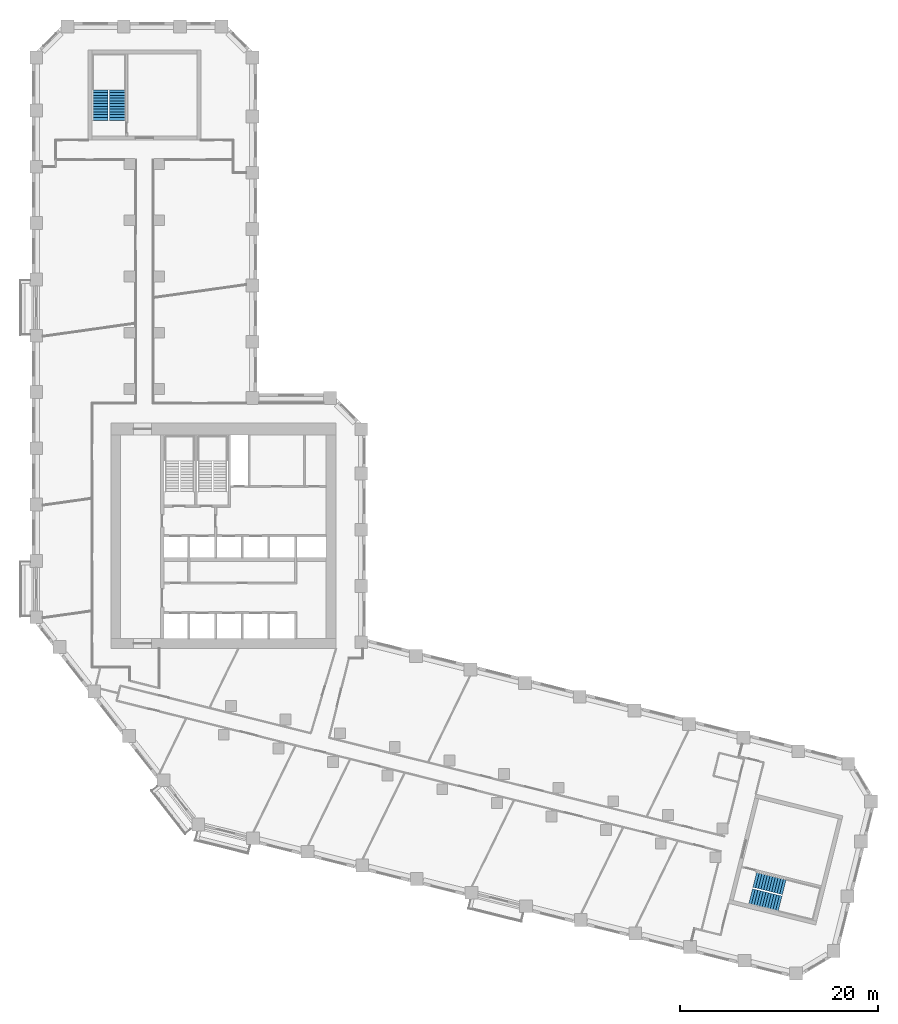
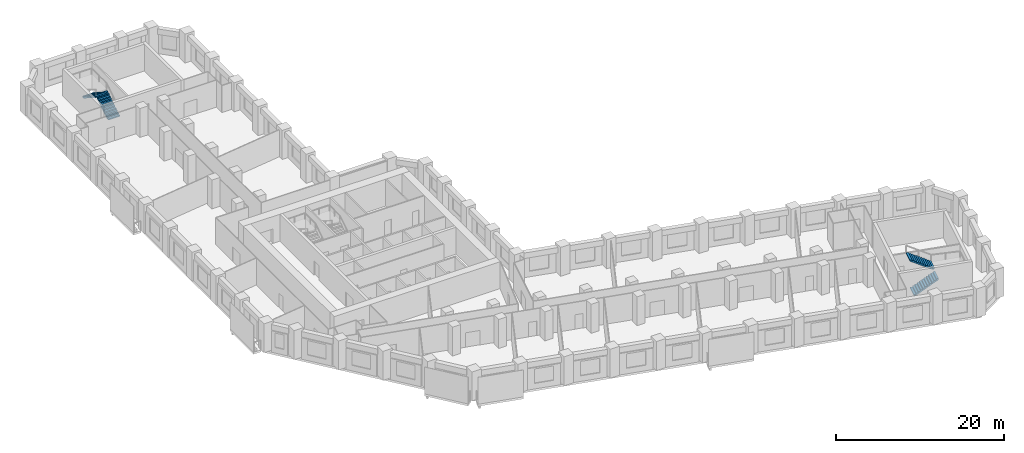
# One storey, part 10 of 11: 4 stair flights, 2 elements without a shape of their own.
"""IFC4 building model written with IfcOpenShell, lengths in metres."""

from ifc_helpers import new_model, si_unit, direction, frame, origin, place, context, subcontext, project, spatial, polyline, outline, extrude, material, type_object, element, aggregate, save


model = new_model("IFC4")

# Units and contexts
model_context = context("Model", 3, precision=1e-05, world=origin(), true_north=direction((0.0, 1.0)))
body_context = subcontext(model_context, "Body", "Model", "MODEL_VIEW")
ifc_project = project(units=[si_unit("LENGTHUNIT", "METRE"), si_unit("AREAUNIT", "SQUARE_METRE"), si_unit("VOLUMEUNIT", "CUBIC_METRE"), si_unit("PLANEANGLEUNIT", "RADIAN"), si_unit("MASSUNIT", "GRAM", prefix="KILO")], contexts=[model_context])

# Site, building, storey
site_placement = place(None, origin())
site = spatial("IfcSite", under=ifc_project, at=site_placement, CompositionType="ELEMENT")
building_placement = place(site_placement, origin())
building = spatial("IfcBuilding", under=site, at=building_placement, Name="Meshkara Civic Tower", CompositionType="ELEMENT")
storey_placement = place(building_placement, frame((0.0, 0.0, 105.60009765625)))
storey = spatial("IfcBuildingStorey", under=building, at=storey_placement, Name="L23", CompositionType="ELEMENT", Elevation=105.60009765625)

# Stair, stair flights
ifc_material_1 = material(Name="Precast concrete C40/50", Category="concrete")
stair_type = type_object("IfcStairType", Name="Exit stair half-turn 24 risers 1600 precast", PredefinedType="HALF_TURN_STAIR", material=ifc_material_1)
stair_1_placement = place(storey_placement, origin())
stair_1 = element("IfcStair", 1, at=stair_1_placement, inside=storey, type_object=stair_type, Name="L23 exit stair A from L20", PredefinedType="HALF_TURN_STAIR")
ifc_material_2 = material(Name="Precast concrete C40/50", Category="concrete")
stair_flight_type = type_object("IfcStairFlightType", Name="Exit stair flight 12 risers 1600 precast", PredefinedType="STRAIGHT", material=ifc_material_2)
stair_flight_1_placement = place(storey_placement, frame((8.675048828125, 67.570068359375, 0.0), z_axis=(0.0, 0.0, 1.0), x_axis=(0.0, 1.0, 0.0)))
stair_flight_1 = element("IfcStairFlight", 2, at=stair_flight_1_placement, type_object=stair_flight_type, Name="ESA2 flight 1", NumberOfRisers=12, NumberOfTreads=11, PredefinedType="STRAIGHT", RiserHeight=0.175, TreadLength=0.28, context=body_context, shape_type="SweptSolid", body=[
    extrude(outline(polyline([(0.0, 0.0), (0.0, 0.175048828125), (0.280029296875, 0.175048828125), (0.280029296875, 0.35009765625), (0.56005859375, 0.35009765625), (0.56005859375, 0.52490234375), (0.840087890625, 0.52490234375), (0.840087890625, 0.699951171875), (1.1201171875, 0.699951171875), (1.1201171875, 0.875), (1.39990234375, 0.875), (1.39990234375, 1.050048828125), (1.679931640625, 1.050048828125), (1.679931640625, 1.22509765625), (1.9599609375, 1.22509765625), (1.9599609375, 1.39990234375), (2.239990234375, 1.39990234375), (2.239990234375, 1.574951171875), (2.52001953125, 1.574951171875), (2.52001953125, 1.75), (2.800048828125, 1.75), (2.800048828125, 1.925048828125), (3.080078125, 1.925048828125), (3.080078125, 2.10009765625), (3.080078125, 1.748291015625), (0.28271484375, 0.0), (0.0, 0.0)])), frame((0.0, 0.800048828125, 0.0), z_axis=(0.0, -1.0, 0.0), x_axis=(1.0, 0.0, 0.0)), (0.0, 0.0, 1.0), 1.60009765625),
])
stair_flight_2_placement = place(storey_placement, frame((6.925048828125, 70.64990234375, 2.099853515625), z_axis=(0.0, 0.0, 1.0), x_axis=(0.0, -1.0, 0.0)))
stair_flight_2 = element("IfcStairFlight", 3, at=stair_flight_2_placement, type_object=stair_flight_type, Name="ESA2 flight 2", NumberOfRisers=12, NumberOfTreads=11, PredefinedType="STRAIGHT", RiserHeight=0.175, TreadLength=0.28, context=body_context, shape_type="SweptSolid", body=[
    extrude(outline(polyline([(0.0, 0.0), (0.0, 0.175048828125), (0.280029296875, 0.175048828125), (0.280029296875, 0.35009765625), (0.56005859375, 0.35009765625), (0.56005859375, 0.52490234375), (0.840087890625, 0.52490234375), (0.840087890625, 0.699951171875), (1.1201171875, 0.699951171875), (1.1201171875, 0.875), (1.39990234375, 0.875), (1.39990234375, 1.050048828125), (1.679931640625, 1.050048828125), (1.679931640625, 1.22509765625), (1.9599609375, 1.22509765625), (1.9599609375, 1.39990234375), (2.239990234375, 1.39990234375), (2.239990234375, 1.574951171875), (2.52001953125, 1.574951171875), (2.52001953125, 1.75), (2.800048828125, 1.75), (2.800048828125, 1.925048828125), (3.080078125, 1.925048828125), (3.080078125, 2.10009765625), (3.080078125, 1.748291015625), (0.28271484375, 0.0), (0.0, 0.0)])), frame((0.0, 0.800048828125, 0.0), z_axis=(0.0, -1.0, 0.0), x_axis=(1.0, 0.0, 0.0)), (0.0, 0.0, 1.0), 1.60009765625),
])
aggregate(stair_1, [stair_flight_1, stair_flight_2])

stair_2_placement = place(storey_placement, origin())
stair_2 = element("IfcStair", 4, at=stair_2_placement, inside=storey, type_object=stair_type, Name="L23 exit stair B from L20", PredefinedType="HALF_TURN_STAIR")
stair_flight_3_placement = place(storey_placement, frame((72.7685546875, -11.00634765625, 0.0), z_axis=(0.0, 0.0, 1.0), x_axis=(0.970260066579, -0.242064873955, 0.0)))
stair_flight_3 = element("IfcStairFlight", 5, at=stair_flight_3_placement, type_object=stair_flight_type, Name="ESB2 flight 1", NumberOfRisers=12, NumberOfTreads=11, PredefinedType="STRAIGHT", RiserHeight=0.175, TreadLength=0.28, context=body_context, shape_type="SweptSolid", body=[
    extrude(outline(polyline([(0.0, 0.0), (0.0, 0.175048828125), (0.280029296875, 0.175048828125), (0.280029296875, 0.35009765625), (0.56005859375, 0.35009765625), (0.56005859375, 0.52490234375), (0.840087890625, 0.52490234375), (0.840087890625, 0.699951171875), (1.1201171875, 0.699951171875), (1.1201171875, 0.875), (1.39990234375, 0.875), (1.39990234375, 1.050048828125), (1.679931640625, 1.050048828125), (1.679931640625, 1.22509765625), (1.9599609375, 1.22509765625), (1.9599609375, 1.39990234375), (2.239990234375, 1.39990234375), (2.239990234375, 1.574951171875), (2.52001953125, 1.574951171875), (2.52001953125, 1.75), (2.800048828125, 1.75), (2.800048828125, 1.925048828125), (3.080078125, 1.925048828125), (3.080078125, 2.10009765625), (3.080078125, 1.748291015625), (0.28271484375, 0.0), (0.0, 0.0)])), frame((0.0, 0.800048828125, 0.0), z_axis=(0.0, -1.0, 0.0), x_axis=(1.0, 0.0, 0.0)), (0.0, 0.0, 1.0), 1.60009765625),
])
stair_flight_4_placement = place(storey_placement, frame((76.1806640625, -10.053955078125, 2.099853515625), z_axis=(0.0, 0.0, 1.0), x_axis=(-0.970260066579, 0.242064873955, 0.0)))
stair_flight_4 = element("IfcStairFlight", 6, at=stair_flight_4_placement, type_object=stair_flight_type, Name="ESB2 flight 2", NumberOfRisers=12, NumberOfTreads=11, PredefinedType="STRAIGHT", RiserHeight=0.175, TreadLength=0.28, context=body_context, shape_type="SweptSolid", body=[
    extrude(outline(polyline([(0.0, 0.0), (0.0, 0.175048828125), (0.280029296875, 0.175048828125), (0.280029296875, 0.35009765625), (0.56005859375, 0.35009765625), (0.56005859375, 0.52490234375), (0.840087890625, 0.52490234375), (0.840087890625, 0.699951171875), (1.1201171875, 0.699951171875), (1.1201171875, 0.875), (1.39990234375, 0.875), (1.39990234375, 1.050048828125), (1.679931640625, 1.050048828125), (1.679931640625, 1.22509765625), (1.9599609375, 1.22509765625), (1.9599609375, 1.39990234375), (2.239990234375, 1.39990234375), (2.239990234375, 1.574951171875), (2.52001953125, 1.574951171875), (2.52001953125, 1.75), (2.800048828125, 1.75), (2.800048828125, 1.925048828125), (3.080078125, 1.925048828125), (3.080078125, 2.10009765625), (3.080078125, 1.748291015625), (0.28271484375, 0.0), (0.0, 0.0)])), frame((0.0, 0.800048828125, 0.0), z_axis=(0.0, -1.0, 0.0), x_axis=(1.0, 0.0, 0.0)), (0.0, 0.0, 1.0), 1.60009765625),
])
aggregate(stair_2, [stair_flight_3, stair_flight_4])

save(model, "model.ifc")
